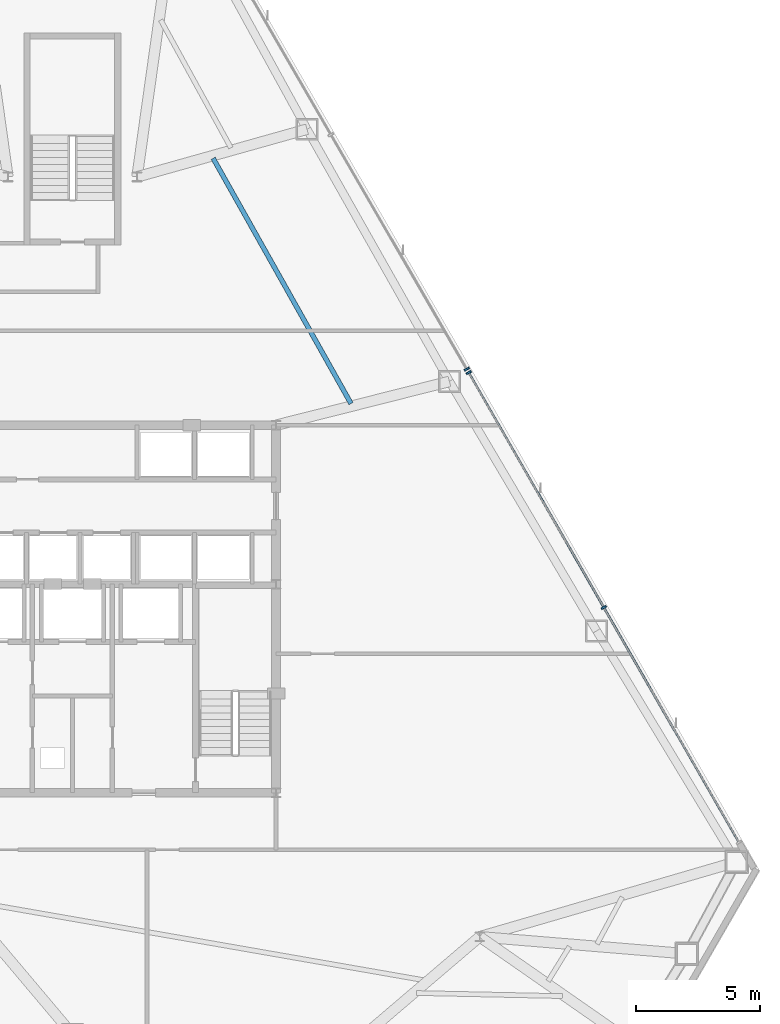
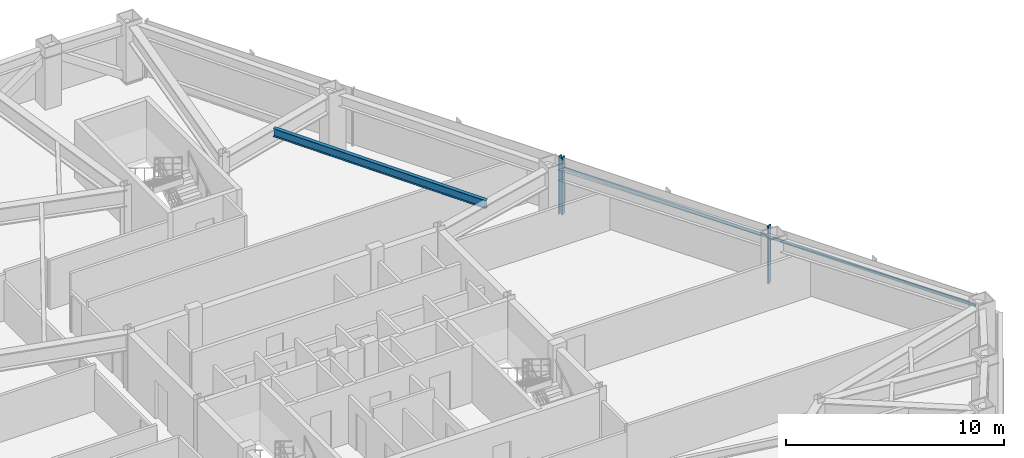
# One storey, part 7 of 12: 4 members, 1 beam, 2 elements without a shape of their own.
"""IFC4 building model written with IfcOpenShell, lengths in metres."""

from ifc_helpers import new_model, si_unit, direction, frame, origin, origin_2d, place, context, subcontext, project, spatial, rectangle, i_section, extrude, source, transform, mapped, material, layer, layer_set, material_profile, profile_set, type_object, type_shapes, element, aggregate, save


model = new_model("IFC4")

# Units and contexts
model_context = context("Model", 3, precision=1e-05, world=origin(), true_north=direction((0.0, 1.0)))
body_context = subcontext(model_context, "Body", "Model", "MODEL_VIEW")
ifc_project = project(units=[si_unit("LENGTHUNIT", "METRE"), si_unit("AREAUNIT", "SQUARE_METRE"), si_unit("VOLUMEUNIT", "CUBIC_METRE"), si_unit("PLANEANGLEUNIT", "RADIAN"), si_unit("MASSUNIT", "GRAM", prefix="KILO")], contexts=[model_context])

# Site, building, storey
site_placement = place(None, origin())
site = spatial("IfcSite", under=ifc_project, at=site_placement, CompositionType="ELEMENT")
building_placement = place(site_placement, origin())
building = spatial("IfcBuilding", under=site, at=building_placement, Name="Varakhsha Concourse Tower", CompositionType="ELEMENT")
storey_placement = place(building_placement, frame((0.0, 0.0, 119.449951171875)))
storey = spatial("IfcBuildingStorey", under=building, at=storey_placement, Name="L34", CompositionType="ELEMENT", Elevation=119.449951171875)

# Beam
ifc_material_1 = material(Name="Structural Steel ASTM A992 Grade 50", Category="steel")
ifc_material_profile_1 = material_profile(ifc_material_1, i_section(OverallWidth=0.19091796875, OverallDepth=0.45703125, WebThickness=0.009033203125, FlangeThickness=0.013916015625, at=origin_2d()), Name="W18X50")
ifc_profile_set_1 = profile_set([ifc_material_profile_1], Name="Structural Steel ASTM A992 Grade 50")
beam_type = type_object("IfcBeamType", Name="BM-JST-W18X50", PredefinedType="JOIST", material=ifc_profile_set_1)
beam_placement = place(storey_placement, frame((51.21728515625, 32.072265625, 2.9814453125), z_axis=(-0.489958387132, 0.871745822404, 0.0), x_axis=(-0.871745822404, -0.489958387132, 0.0)))
element("IfcBeam", 1, at=beam_placement, inside=storey, type_object=beam_type, Name="BM-TJST-L34-17", PredefinedType="JOIST", context=body_context, shape_type="SweptSolid", body=[
    extrude(i_section(OverallWidth=0.19091796875, OverallDepth=0.45703125, WebThickness=0.009033203125, FlangeThickness=0.013916015625, at=origin_2d()), origin(), (0.0, 0.0, 1.0), 11.330078125),
])

# Curtain wall, members
ifc_material_2 = material(Name="Anodised Bronze Architectural Aluminium AA 6063-T6", Category="aluminium")
ifc_layer = layer(ifc_material_2, 0.2099609375, Name="CW-SYS-04")
ifc_layer_set = layer_set([ifc_layer], Name="Anodised Bronze Architectural Aluminium AA 6063-T6")
curtain_wall_type = type_object("IfcCurtainWallType", Name="CW-SYS-04", PredefinedType="NOTDEFINED", material=ifc_layer_set)
curtain_wall_1_placement = place(storey_placement, origin())
curtain_wall_1 = element("IfcCurtainWall", 2, at=curtain_wall_1_placement, inside=storey, type_object=curtain_wall_type, Name="L34 Crystal Curtain Wall F8", PredefinedType="NOTDEFINED")
ifc_material_profile_2 = material_profile(ifc_material_2, rectangle(XDim=0.074951171875, YDim=0.219970703125, at=origin_2d()), Name="CWM-220X75")
ifc_profile_set_2 = profile_set([ifc_material_profile_2], Name="Anodised Bronze Architectural Aluminium AA 6063-T6")
member_type_1 = type_object("IfcMemberType", Name="CWM-220X75", PredefinedType="MULLION", material=ifc_profile_set_2)
shared_shape_1 = source(origin(), body_context, "Body", "SweptSolid", [
    extrude(rectangle(XDim=0.074951171875, YDim=0.219970703125, at=origin_2d()), origin(), (0.0, 0.0, 1.0), 3.2099609375),
])
type_shapes(member_type_1, [shared_shape_1])
member_1_placement = place(storey_placement, frame((55.9580078125, 33.3212890625, 0.0), z_axis=(0.0, 0.0, 1.0), x_axis=(0.498489252773, -0.866895878909, 0.0)))
member_1 = element("IfcMember", 3, at=member_1_placement, type_object=member_type_1, Name="CW-L34-F8 Mullion 00", PredefinedType="MULLION", context=body_context, shape_type="MappedRepresentation", body=[
    mapped(shared_shape_1, transform((0.0, 0.0, 0.0), scale=1.0)),
])
member_2_placement = place(storey_placement, frame((61.398681640625, 23.859619140625, 0.0), z_axis=(0.0, 0.0, 1.0), x_axis=(0.498489252773, -0.866895878909, 0.0)))
member_2 = element("IfcMember", 4, at=member_2_placement, type_object=member_type_1, Name="CW-L34-F8 Mullion 01", PredefinedType="MULLION", context=body_context, shape_type="MappedRepresentation", body=[
    mapped(shared_shape_1, transform((0.0, 0.0, 0.0), scale=1.0)),
])

# Curtain wall, member
curtain_wall_2_placement = place(storey_placement, origin())
curtain_wall_2 = element("IfcCurtainWall", 5, at=curtain_wall_2_placement, inside=storey, type_object=curtain_wall_type, Name="L34 Crystal Curtain Wall F9", PredefinedType="NOTDEFINED")
member_3_placement = place(storey_placement, frame((55.878173828125, 33.459228515625, 0.0), z_axis=(0.0, 0.0, 1.0), x_axis=(0.501513757105, -0.865149669962, 0.0)))
member_3 = element("IfcMember", 6, at=member_3_placement, type_object=member_type_1, Name="CW-L34-F9 Mullion 02", PredefinedType="MULLION", context=body_context, shape_type="MappedRepresentation", body=[
    mapped(shared_shape_1, transform((0.0, 0.0, 0.0), scale=1.0)),
])
aggregate(curtain_wall_2, [member_3])

# Member
ifc_material_profile_3 = material_profile(ifc_material_2, rectangle(XDim=0.06494140625, YDim=0.159912109375, at=origin_2d()), Name="CWT-160X65")
ifc_profile_set_3 = profile_set([ifc_material_profile_3], Name="Anodised Bronze Architectural Aluminium AA 6063-T6")
member_type_2 = type_object("IfcMemberType", Name="CWT-160X65", PredefinedType="USERDEFINED", material=ifc_profile_set_3)
shared_shape_2 = source(origin(), body_context, "Body", "SweptSolid", [
    extrude(rectangle(XDim=0.06494140625, YDim=0.159912109375, at=origin_2d()), origin(), (0.0, 0.0, 1.0), 21.828369140625),
])
type_shapes(member_type_2, [shared_shape_2])
member_4_placement = place(storey_placement, frame((55.9580078125, 33.3212890625, 2.56005859375), z_axis=(0.498482261443, -0.866899899081, 0.0), x_axis=(0.866899899081, 0.498482261443, 0.0)))
member_4 = element("IfcMember", 7, at=member_4_placement, type_object=member_type_2, Name="CW-L34-F8 Transom 01", ObjectType="TRANSOM", PredefinedType="USERDEFINED", context=body_context, shape_type="MappedRepresentation", body=[
    mapped(shared_shape_2, transform((0.0, 0.0, 0.0), scale=1.0)),
])

aggregate(curtain_wall_1, [member_1, member_2, member_4])

save(model, "model.ifc")
